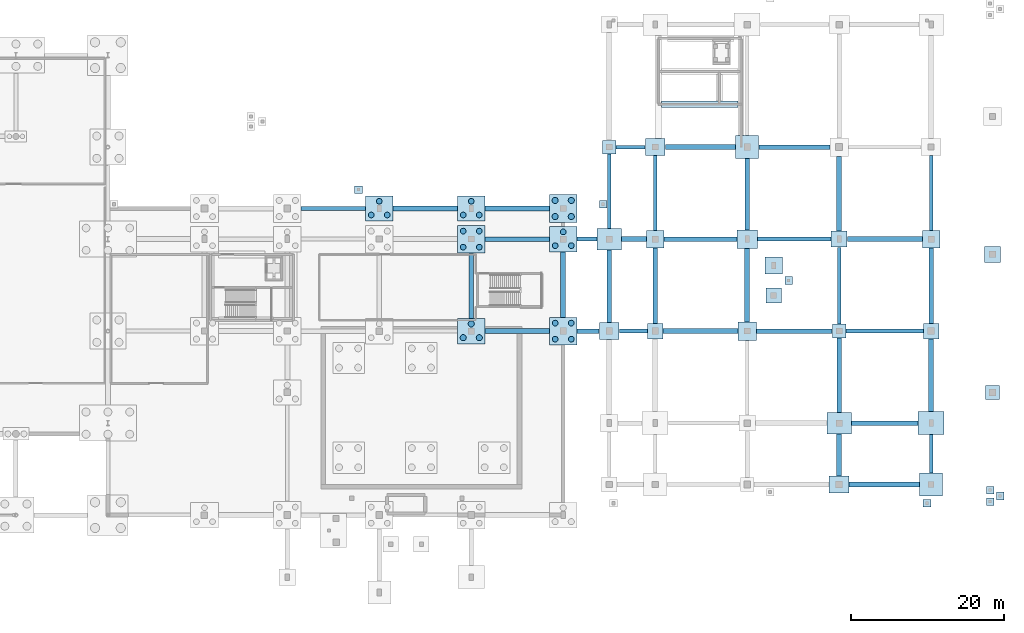
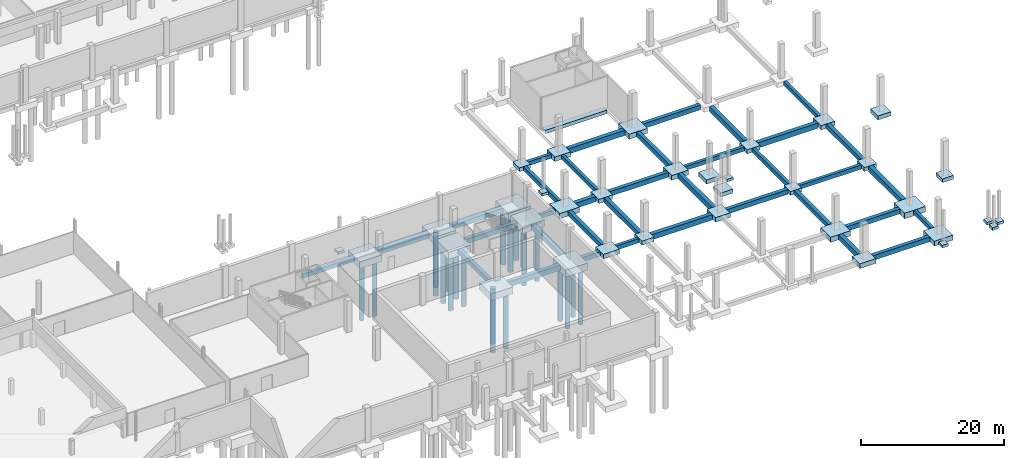
# One storey, part 6 of 42: 72 footings, 24 piles.
"""IFC4 building model written with IfcOpenShell, lengths in metres."""

import ifcopenshell
import ifcopenshell.guid

model = None  # the IFC model being written
_history = None  # IfcOwnerHistory: only IFC2X3 demands one
_inside = {}  # id of a spatial element -> (the spatial element, [elements in it])
_under = {}  # id of a project, library or spatial element -> (it, [spatial elements below it])
_declared = {}  # id of a project -> (the project, [libraries it declares])
_typed = {}  # id of a type object -> (the type object, [elements of that type])
_made_of = {}  # id of a material, layer set ... -> (it, [elements and type objects made of it])


def new_model(schema):
    """Start an empty IFC model of exactly this schema.

    Asked for "IFC4X3", IfcOpenShell would pick the latest addendum, in which some entities
    have other attributes; the version numbers below select the first issue.
    IFC2X3 requires an IfcOwnerHistory on every rooted entity: one is made here for all.
    """
    global model, _history
    if schema == "IFC4X3":
        model = ifcopenshell.file(schema_version=(4, 3, 0, 0))
    else:
        model = ifcopenshell.file(schema=schema)
    _inside.clear()
    _under.clear()
    _declared.clear()
    _typed.clear()
    _made_of.clear()
    _history = None
    if model.schema == "IFC2X3":
        org = make("IfcOrganization", Name="unknown")
        user = make(
            "IfcPersonAndOrganization",
            ThePerson=make("IfcPerson", FamilyName="unknown"),
            TheOrganization=org,
        )
        app = make(
            "IfcApplication",
            ApplicationDeveloper=org,
            Version="unknown",
            ApplicationFullName="unknown",
            ApplicationIdentifier="unknown",
        )
        _history = make(
            "IfcOwnerHistory",
            OwningUser=user,
            OwningApplication=app,
            ChangeAction="ADDED",
            CreationDate=0,
        )
    return model


def make(cls, **values):
    """One entity of the class cls with the attributes given. An attribute that is None is left unset."""
    return model.create_entity(
        cls, **{name: value for name, value in values.items() if value is not None}
    )


def rooted(cls, **values):
    """An entity with a GlobalId (a new one), such as an element, a storey or a relation."""
    return make(cls, GlobalId=ifcopenshell.guid.new(), OwnerHistory=_history, **values)


def si_unit(unit_type, name, prefix=None):
    """IfcSIUnit, for example si_unit("LENGTHUNIT", "METRE", prefix="MILLI")."""
    return make("IfcSIUnit", UnitType=unit_type, Prefix=prefix, Name=name)


def assignment(units):
    """IfcUnitAssignment: the units of a project."""
    return None if units is None else make("IfcUnitAssignment", Units=units)


def point(xyz):
    """IfcCartesianPoint."""
    return None if xyz is None else make("IfcCartesianPoint", Coordinates=xyz)


def direction(xyz):
    """IfcDirection."""
    return None if xyz is None else make("IfcDirection", DirectionRatios=xyz)


def frame(location, z_axis=None, x_axis=None):
    """IfcAxis2Placement3D, a coordinate frame: its origin and axes. An axis left out is left unset."""
    return make(
        "IfcAxis2Placement3D",
        Location=point(location),
        Axis=direction(z_axis),
        RefDirection=direction(x_axis),
    )


def frame_2d(location, x_axis=None):
    """IfcAxis2Placement2D, a coordinate frame in the plane: its origin and x axis."""
    return make(
        "IfcAxis2Placement2D", Location=point(location), RefDirection=direction(x_axis)
    )


def origin():
    """The frame at (0, 0, 0) with its axes left unset."""
    return frame((0.0, 0.0, 0.0))


def origin_2d():
    """The frame at (0, 0) in the plane with its x axis left unset."""
    return frame_2d((0.0, 0.0))


def place(relative_to, where):
    """IfcLocalPlacement: puts the frame where relative to a parent placement (None: the world)."""
    return make(
        "IfcLocalPlacement", PlacementRelTo=relative_to, RelativePlacement=where
    )


def context(
    kind, dimensions, precision=None, world=None, true_north=None, identifier=None
):
    """IfcGeometricRepresentationContext, for example the 3D "Model" context."""
    return make(
        "IfcGeometricRepresentationContext",
        ContextIdentifier=identifier,
        ContextType=kind,
        CoordinateSpaceDimension=dimensions,
        Precision=precision,
        WorldCoordinateSystem=world,
        TrueNorth=true_north,
    )


def subcontext(parent, identifier, kind, view, scale=None):
    """IfcGeometricRepresentationSubContext, for example "Body" below "Model"."""
    return make(
        "IfcGeometricRepresentationSubContext",
        ContextIdentifier=identifier,
        ContextType=kind,
        ParentContext=parent,
        TargetScale=scale,
        TargetView=view,
    )


def project(units=None, contexts=None):
    """IfcProject with its units and contexts."""
    return rooted(
        "IfcProject",
        Name="project",
        RepresentationContexts=contexts,
        UnitsInContext=assignment(units),
    )


def spatial(cls, under=None, at=None, **own):
    """A site, building, storey or space (cls), placed at a placement, below another one or the project."""
    s = rooted(cls, ObjectPlacement=at, **own)
    if under is not None:
        _under.setdefault(under.id(), (under, []))[1].append(s)
    return s


def profile(cls, at=None, kind="AREA", **sizes):
    """A parametric profile (cls). Its sizes go by their IFC names, for example OverallWidth=200.0."""
    return make(cls, ProfileType=kind, Position=at, **sizes)


def rectangle(**sizes):
    """IfcRectangleProfileDef."""
    return profile("IfcRectangleProfileDef", **sizes)


def circle(**sizes):
    """IfcCircleProfileDef."""
    return profile("IfcCircleProfileDef", **sizes)


def extrude(swept, where, along, depth):
    """IfcExtrudedAreaSolid: the profile swept, set in the frame where, extruded along a direction by depth."""
    return make(
        "IfcExtrudedAreaSolid",
        SweptArea=swept,
        Position=where,
        ExtrudedDirection=direction(along),
        Depth=depth,
    )


def shape(context_of_items, identifier, shape_type, items):
    """IfcShapeRepresentation: the items that make up one representation, for example the "Body"."""
    return make(
        "IfcShapeRepresentation",
        ContextOfItems=context_of_items,
        RepresentationIdentifier=identifier,
        RepresentationType=shape_type,
        Items=items,
    )


def material(Name=None, Category=None):
    """IfcMaterial."""
    return make("IfcMaterial", Name=Name, Category=Category)


def material_profile(
    of_material, cross_section, Name=None, Category=None, Priority=None
):
    """IfcMaterialProfile: a cross section and its material."""
    return make(
        "IfcMaterialProfile",
        Name=Name,
        Material=of_material,
        Profile=cross_section,
        Priority=Priority,
        Category=Category,
    )


def profile_set(profiles, Name=None, composite=None):
    """IfcMaterialProfileSet."""
    return make(
        "IfcMaterialProfileSet",
        Name=Name,
        MaterialProfiles=profiles,
        CompositeProfile=composite,
    )


def made_of(thing, what):
    """Note that an element or type object is made of a material, layer set ...; save() writes the relation."""
    if what is not None:
        _made_of.setdefault(what.id(), (what, []))[1].append(thing)
    return thing


def type_object(cls, material=None, **own):
    """A type object (cls), such as IfcWallType, which elements share."""
    return made_of(rooted(cls, **own), material)


def element(
    cls,
    number,
    at=None,
    inside=None,
    cuts=None,
    type_object=None,
    material=None,
    context=None,
    identifier="Body",
    shape_type=None,
    held_by="IfcProductDefinitionShape",
    body=None,
    shapes=None,
    **own,
):
    """One element of the class cls, such as IfcWall. Its Tag is "e" and its number.

    at: its placement. inside: the storey or other place that contains it. cuts: it is an
    opening in that element (IfcRelVoidsElement). A single representation is given by context,
    identifier, shape_type and body (its items); several are given by shapes. held_by: the class
    of the entity that holds the representations. save() writes the other relations.
    """
    e = rooted(cls, Tag="e%d" % number, ObjectPlacement=at, **own)
    if body is not None:
        shapes = [shape(context, identifier, shape_type, body)]
    if shapes is not None:
        e.Representation = make(held_by, Representations=shapes)
    if inside is not None:
        _inside.setdefault(inside.id(), (inside, []))[1].append(e)
    if cuts is not None:
        rooted(
            "IfcRelVoidsElement", RelatingBuildingElement=cuts, RelatedOpeningElement=e
        )
    if type_object is not None:
        _typed.setdefault(type_object.id(), (type_object, []))[1].append(e)
    return made_of(e, material)


def aggregate(whole, parts):
    """IfcRelAggregates: a whole, such as a stair, and the parts it consists of."""
    return rooted("IfcRelAggregates", RelatingObject=whole, RelatedObjects=parts)


def save(model, path):
    """Write the relations noted so far, then the file.

    IfcRelAggregates (storeys below a building ...), IfcRelContainedInSpatialStructure (elements
    in a storey), IfcRelDefinesByType, IfcRelAssociatesMaterial and IfcRelDeclares: one each for
    every whole, place, type object, material and project.
    """
    for whole, parts in _under.values():
        aggregate(whole, parts)
    for where, things in _inside.values():
        rooted(
            "IfcRelContainedInSpatialStructure",
            RelatedElements=things,
            RelatingStructure=where,
        )
    for kind, things in _typed.values():
        rooted("IfcRelDefinesByType", RelatedObjects=things, RelatingType=kind)
    for what, things in _made_of.values():
        rooted("IfcRelAssociatesMaterial", RelatedObjects=things, RelatingMaterial=what)
    for by, libraries in _declared.values():
        rooted("IfcRelDeclares", RelatingContext=by, RelatedDefinitions=libraries)
    model.write(path)


model = new_model("IFC4")

# Units and contexts
model_context = context("Model", 3, precision=1e-05, world=origin(), true_north=direction((0.0, 1.0)))
body_context = subcontext(model_context, "Body", "Model", "MODEL_VIEW")
ifc_project = project(units=[si_unit("LENGTHUNIT", "METRE"), si_unit("AREAUNIT", "SQUARE_METRE"), si_unit("VOLUMEUNIT", "CUBIC_METRE"), si_unit("PLANEANGLEUNIT", "RADIAN"), si_unit("MASSUNIT", "GRAM", prefix="KILO"), si_unit("THERMODYNAMICTEMPERATUREUNIT", "KELVIN"), si_unit("POWERUNIT", "WATT")], contexts=[model_context])

# Site, building, storey
site_placement = place(None, origin())
site = spatial("IfcSite", under=ifc_project, at=site_placement, CompositionType="ELEMENT")
building_placement = place(site_placement, origin())
building = spatial("IfcBuilding", under=site, at=building_placement, Name="Solmara Park Aquatics Centre", CompositionType="ELEMENT")
storey_placement = place(building_placement, frame((0.0, 0.0, -5.39990234375)))
storey = spatial("IfcBuildingStorey", under=building, at=storey_placement, Name="B1", CompositionType="ELEMENT", Elevation=-5.39990234375)

# Footings
ifc_material = material(Name="Watertight Concrete C45/55", Category="concrete")
footing_type_1 = type_object("IfcFootingType", Name="STR-FB-500x700", PredefinedType="FOOTING_BEAM", material=ifc_material)
footing_1_placement = place(storey_placement, frame((165.14990234375, 36.60009765625, -1.25), z_axis=(0.0, 0.0, 1.0), x_axis=(1.0, 0.0, 0.0)))
element("IfcFooting", 1, at=footing_1_placement, inside=storey, type_object=footing_type_1, Name="Ground Tie Beam FB-033", PredefinedType="FOOTING_BEAM", context=body_context, shape_type="SweptSolid", body=[
    extrude(rectangle(XDim=3.679931640625, YDim=0.5, at=origin_2d()), origin(), (0.0, 0.0, 1.0), 0.699951171875),
])
footing_2_placement = place(storey_placement, frame((197.949951171875, 36.60009765625, -1.25), z_axis=(0.0, 0.0, 1.0), x_axis=(1.0, 0.0, 0.0)))
element("IfcFooting", 2, at=footing_2_placement, inside=storey, type_object=footing_type_1, Name="Ground Tie Beam FB-036", PredefinedType="FOOTING_BEAM", context=body_context, shape_type="SweptSolid", body=[
    extrude(rectangle(XDim=10.080078125, YDim=0.5, at=origin_2d()), origin(), (0.0, 0.0, 1.0), 0.699951171875),
])
footing_3_placement = place(storey_placement, frame((159.10009765625, 48.60009765625, -1.25), z_axis=(0.0, 0.0, 1.0), x_axis=(1.0, 0.0, 0.0)))
element("IfcFooting", 3, at=footing_3_placement, inside=storey, type_object=footing_type_1, Name="Ground Tie Beam FB-042", PredefinedType="FOOTING_BEAM", context=body_context, shape_type="SweptSolid", body=[
    extrude(rectangle(XDim=2.580078125, YDim=0.5, at=origin_2d()), origin(), (0.0, 0.0, 1.0), 0.699951171875),
])
footing_4_placement = place(storey_placement, frame((186.14990234375, 48.60009765625, -1.25), z_axis=(0.0, 0.0, 1.0), x_axis=(1.0, 0.0, 0.0)))
element("IfcFooting", 4, at=footing_4_placement, inside=storey, type_object=footing_type_1, Name="Ground Tie Beam FB-045", PredefinedType="FOOTING_BEAM", context=body_context, shape_type="SweptSolid", body=[
    extrude(rectangle(XDim=9.580078125, YDim=0.5, at=origin_2d()), origin(), (0.0, 0.0, 1.0), 0.699951171875),
])
footing_5_placement = place(storey_placement, frame((126.0, 52.60009765625, -1.25), z_axis=(0.0, 0.0, 1.0), x_axis=(1.0, 0.0, 0.0)))
element("IfcFooting", 5, at=footing_5_placement, inside=storey, type_object=footing_type_1, Name="Ground Tie Beam FB-048", PredefinedType="FOOTING_BEAM", context=body_context, shape_type="SweptSolid", body=[
    extrude(rectangle(XDim=8.3798828125, YDim=0.5, at=origin_2d()), origin(), (0.0, 0.0, 1.0), 0.699951171875),
])
footing_6_placement = place(storey_placement, frame((164.800048828125, 60.60009765625, -1.25), z_axis=(0.0, 0.0, 1.0), x_axis=(1.0, 0.0, 0.0)))
element("IfcFooting", 6, at=footing_6_placement, inside=storey, type_object=footing_type_1, Name="Ground Tie Beam FB-051", PredefinedType="FOOTING_BEAM", context=body_context, shape_type="SweptSolid", body=[
    extrude(rectangle(XDim=3.780029296875, YDim=0.5, at=origin_2d()), origin(), (0.0, 0.0, 1.0), 0.699951171875),
])
footing_7_placement = place(storey_placement, frame((162.0, 54.85009765625, -1.25), z_axis=(0.0, 0.0, 1.0), x_axis=(1.0, 0.0, 0.0)))
element("IfcFooting", 7, at=footing_7_placement, inside=storey, type_object=footing_type_1, Name="Ground Tie Beam FB-179", PredefinedType="FOOTING_BEAM", context=body_context, shape_type="SweptSolid", body=[
    extrude(rectangle(XDim=0.5, YDim=9.679931640625, at=origin_2d()), origin(), (0.0, 0.0, 1.0), 0.699951171875),
])
footing_8_placement = place(storey_placement, frame((168.0, 54.612548828125, -1.25), z_axis=(0.0, 0.0, 1.0), x_axis=(1.0, 0.0, 0.0)))
element("IfcFooting", 8, at=footing_8_placement, inside=storey, type_object=footing_type_1, Name="Ground Tie Beam FB-185", PredefinedType="FOOTING_BEAM", context=body_context, shape_type="SweptSolid", body=[
    extrude(rectangle(XDim=0.5, YDim=9.7548828125, at=origin_2d()), origin(), (0.0, 0.0, 1.0), 0.699951171875),
])
footing_9_placement = place(storey_placement, frame((192.0, 42.52490234375, -1.25), z_axis=(0.0, 0.0, 1.0), x_axis=(1.0, 0.0, 0.0)))
element("IfcFooting", 9, at=footing_9_placement, inside=storey, type_object=footing_type_1, Name="Ground Tie Beam FB-193", PredefinedType="FOOTING_BEAM", context=body_context, shape_type="SweptSolid", body=[
    extrude(rectangle(XDim=0.5, YDim=10.030029296875, at=origin_2d()), origin(), (0.0, 0.0, 1.0), 0.699951171875),
])
footing_10_placement = place(storey_placement, frame((204.0, 20.60009765625, -1.25), z_axis=(0.0, 0.0, 1.0), x_axis=(1.0, 0.0, 0.0)))
element("IfcFooting", 10, at=footing_10_placement, inside=storey, type_object=footing_type_1, Name="Ground Tie Beam FB-196", PredefinedType="FOOTING_BEAM", context=body_context, shape_type="SweptSolid", body=[
    extrude(rectangle(XDim=0.5, YDim=4.97998046875, at=origin_2d()), origin(), (0.0, 0.0, 1.0), 0.699951171875),
])
footing_11_placement = place(storey_placement, frame((204.0, 54.612548828125, -1.25), z_axis=(0.0, 0.0, 1.0), x_axis=(1.0, 0.0, 0.0)))
element("IfcFooting", 11, at=footing_11_placement, inside=storey, type_object=footing_type_1, Name="Ground Tie Beam FB-199", PredefinedType="FOOTING_BEAM", context=body_context, shape_type="SweptSolid", body=[
    extrude(rectangle(XDim=0.5, YDim=9.7548828125, at=origin_2d()), origin(), (0.0, 0.0, 1.0), 0.699951171875),
])
footing_type_2 = type_object("IfcFootingType", Name="STR-FB-600x800", PredefinedType="FOOTING_BEAM", material=ifc_material)
footing_12_placement = place(storey_placement, frame((197.89990234375, 16.60009765625, -1.35009765625), z_axis=(0.0, 0.0, 1.0), x_axis=(1.0, 0.0, 0.0)))
element("IfcFooting", 12, at=footing_12_placement, inside=storey, type_object=footing_type_2, Name="Ground Tie Beam FB-017", PredefinedType="FOOTING_BEAM", context=body_context, shape_type="SweptSolid", body=[
    extrude(rectangle(XDim=9.179931640625, YDim=0.60009765625, at=origin_2d()), origin(), (0.0, 0.0, 1.0), 0.800048828125),
])
footing_13_placement = place(storey_placement, frame((197.949951171875, 24.60009765625, -1.35009765625), z_axis=(0.0, 0.0, 1.0), x_axis=(1.0, 0.0, 0.0)))
element("IfcFooting", 13, at=footing_13_placement, inside=storey, type_object=footing_type_2, Name="Ground Tie Beam FB-026", PredefinedType="FOOTING_BEAM", context=body_context, shape_type="SweptSolid", body=[
    extrude(rectangle(XDim=8.679931640625, YDim=0.60009765625, at=origin_2d()), origin(), (0.0, 0.0, 1.0), 0.800048828125),
])
footing_14_placement = place(storey_placement, frame((159.25, 36.60009765625, -1.35009765625), z_axis=(0.0, 0.0, 1.0), x_axis=(1.0, 0.0, 0.0)))
element("IfcFooting", 14, at=footing_14_placement, inside=storey, type_object=footing_type_2, Name="Ground Tie Beam FB-032", PredefinedType="FOOTING_BEAM", context=body_context, shape_type="SweptSolid", body=[
    extrude(rectangle(XDim=2.8798828125, YDim=0.60009765625, at=origin_2d()), origin(), (0.0, 0.0, 1.0), 0.800048828125),
])
footing_15_placement = place(storey_placement, frame((186.14990234375, 36.60009765625, -1.35009765625), z_axis=(0.0, 0.0, 1.0), x_axis=(1.0, 0.0, 0.0)))
element("IfcFooting", 15, at=footing_15_placement, inside=storey, type_object=footing_type_2, Name="Ground Tie Beam FB-035", PredefinedType="FOOTING_BEAM", context=body_context, shape_type="SweptSolid", body=[
    extrude(rectangle(XDim=9.8798828125, YDim=0.60009765625, at=origin_2d()), origin(), (0.0, 0.0, 1.0), 0.800048828125),
])
footing_16_placement = place(storey_placement, frame((150.0, 48.60009765625, -1.35009765625), z_axis=(0.0, 0.0, 1.0), x_axis=(1.0, 0.0, 0.0)))
element("IfcFooting", 16, at=footing_16_placement, inside=storey, type_object=footing_type_2, Name="Ground Tie Beam FB-041", PredefinedType="FOOTING_BEAM", context=body_context, shape_type="SweptSolid", body=[
    extrude(rectangle(XDim=8.3798828125, YDim=0.60009765625, at=origin_2d()), origin(), (0.0, 0.0, 1.0), 0.800048828125),
])
footing_17_placement = place(storey_placement, frame((173.887451171875, 48.60009765625, -1.35009765625), z_axis=(0.0, 0.0, 1.0), x_axis=(1.0, 0.0, 0.0)))
element("IfcFooting", 17, at=footing_17_placement, inside=storey, type_object=footing_type_2, Name="Ground Tie Beam FB-044", PredefinedType="FOOTING_BEAM", context=body_context, shape_type="SweptSolid", body=[
    extrude(rectangle(XDim=9.5048828125, YDim=0.60009765625, at=origin_2d()), origin(), (0.0, 0.0, 1.0), 0.800048828125),
])
footing_18_placement = place(storey_placement, frame((150.0, 52.60009765625, -1.35009765625), z_axis=(0.0, 0.0, 1.0), x_axis=(1.0, 0.0, 0.0)))
element("IfcFooting", 18, at=footing_18_placement, inside=storey, type_object=footing_type_2, Name="Ground Tie Beam FB-050", PredefinedType="FOOTING_BEAM", context=body_context, shape_type="SweptSolid", body=[
    extrude(rectangle(XDim=8.3798828125, YDim=0.60009765625, at=origin_2d()), origin(), (0.0, 0.0, 1.0), 0.800048828125),
])
footing_19_placement = place(storey_placement, frame((186.14990234375, 60.60009765625, -1.35009765625), z_axis=(0.0, 0.0, 1.0), x_axis=(1.0, 0.0, 0.0)))
element("IfcFooting", 19, at=footing_19_placement, inside=storey, type_object=footing_type_2, Name="Ground Tie Beam FB-053", PredefinedType="FOOTING_BEAM", context=body_context, shape_type="SweptSolid", body=[
    extrude(rectangle(XDim=9.280029296875, YDim=0.60009765625, at=origin_2d()), origin(), (0.0, 0.0, 1.0), 0.800048828125),
])
footing_20_placement = place(storey_placement, frame((144.0, 42.52490234375, -1.35009765625), z_axis=(0.0, 0.0, 1.0), x_axis=(1.0, 0.0, 0.0)))
element("IfcFooting", 20, at=footing_20_placement, inside=storey, type_object=footing_type_2, Name="Ground Tie Beam FB-172", PredefinedType="FOOTING_BEAM", context=body_context, shape_type="SweptSolid", body=[
    extrude(rectangle(XDim=0.60009765625, YDim=8.530029296875, at=origin_2d()), origin(), (0.0, 0.0, 1.0), 0.800048828125),
])
footing_21_placement = place(storey_placement, frame((162.0, 42.449951171875, -1.35009765625), z_axis=(0.0, 0.0, 1.0), x_axis=(1.0, 0.0, 0.0)))
element("IfcFooting", 21, at=footing_21_placement, inside=storey, type_object=footing_type_2, Name="Ground Tie Beam FB-178", PredefinedType="FOOTING_BEAM", context=body_context, shape_type="SweptSolid", body=[
    extrude(rectangle(XDim=0.60009765625, YDim=9.47998046875, at=origin_2d()), origin(), (0.0, 0.0, 1.0), 0.800048828125),
])
footing_22_placement = place(storey_placement, frame((168.0, 42.53759765625, -1.35009765625), z_axis=(0.0, 0.0, 1.0), x_axis=(1.0, 0.0, 0.0)))
element("IfcFooting", 22, at=footing_22_placement, inside=storey, type_object=footing_type_2, Name="Ground Tie Beam FB-184", PredefinedType="FOOTING_BEAM", context=body_context, shape_type="SweptSolid", body=[
    extrude(rectangle(XDim=0.60009765625, YDim=9.85498046875, at=origin_2d()), origin(), (0.0, 0.0, 1.0), 0.800048828125),
])
footing_23_placement = place(storey_placement, frame((180.0, 54.449951171875, -1.35009765625), z_axis=(0.0, 0.0, 1.0), x_axis=(1.0, 0.0, 0.0)))
element("IfcFooting", 23, at=footing_23_placement, inside=storey, type_object=footing_type_2, Name="Ground Tie Beam FB-189", PredefinedType="FOOTING_BEAM", context=body_context, shape_type="SweptSolid", body=[
    extrude(rectangle(XDim=0.60009765625, YDim=9.280029296875, at=origin_2d()), origin(), (0.0, 0.0, 1.0), 0.800048828125),
])
footing_24_placement = place(storey_placement, frame((192.0, 30.85009765625, -1.35009765625), z_axis=(0.0, 0.0, 1.0), x_axis=(1.0, 0.0, 0.0)))
element("IfcFooting", 24, at=footing_24_placement, inside=storey, type_object=footing_type_2, Name="Ground Tie Beam FB-192", PredefinedType="FOOTING_BEAM", context=body_context, shape_type="SweptSolid", body=[
    extrude(rectangle(XDim=0.60009765625, YDim=9.679931640625, at=origin_2d()), origin(), (0.0, 0.0, 1.0), 0.800048828125),
])
footing_25_placement = place(storey_placement, frame((204.0, 42.53759765625, -1.35009765625), z_axis=(0.0, 0.0, 1.0), x_axis=(1.0, 0.0, 0.0)))
element("IfcFooting", 25, at=footing_25_placement, inside=storey, type_object=footing_type_2, Name="Ground Tie Beam FB-198", PredefinedType="FOOTING_BEAM", context=body_context, shape_type="SweptSolid", body=[
    extrude(rectangle(XDim=0.60009765625, YDim=9.85498046875, at=origin_2d()), origin(), (0.0, 0.0, 1.0), 0.800048828125),
])
footing_type_3 = type_object("IfcFootingType", Name="STR-FB-650x900", PredefinedType="FOOTING_BEAM", material=ifc_material)
footing_26_placement = place(storey_placement, frame((150.0, 36.60009765625, -1.449951171875), z_axis=(0.0, 0.0, 1.0), x_axis=(1.0, 0.0, 0.0)))
element("IfcFooting", 26, at=footing_26_placement, inside=storey, type_object=footing_type_3, Name="Ground Tie Beam FB-031", PredefinedType="FOOTING_BEAM", context=body_context, shape_type="SweptSolid", body=[
    extrude(rectangle(XDim=8.3798828125, YDim=0.64990234375, at=origin_2d()), origin(), (0.0, 0.0, 1.0), 0.89990234375),
])
footing_27_placement = place(storey_placement, frame((173.89990234375, 36.60009765625, -1.449951171875), z_axis=(0.0, 0.0, 1.0), x_axis=(1.0, 0.0, 0.0)))
element("IfcFooting", 27, at=footing_27_placement, inside=storey, type_object=footing_type_3, Name="Ground Tie Beam FB-034", PredefinedType="FOOTING_BEAM", context=body_context, shape_type="SweptSolid", body=[
    extrude(rectangle(XDim=9.780029296875, YDim=0.64990234375, at=origin_2d()), origin(), (0.0, 0.0, 1.0), 0.89990234375),
])
footing_28_placement = place(storey_placement, frame((165.237548828125, 48.60009765625, -1.449951171875), z_axis=(0.0, 0.0, 1.0), x_axis=(1.0, 0.0, 0.0)))
element("IfcFooting", 28, at=footing_28_placement, inside=storey, type_object=footing_type_3, Name="Ground Tie Beam FB-043", PredefinedType="FOOTING_BEAM", context=body_context, shape_type="SweptSolid", body=[
    extrude(rectangle(XDim=3.2548828125, YDim=0.64990234375, at=origin_2d()), origin(), (0.0, 0.0, 1.0), 0.89990234375),
])
footing_29_placement = place(storey_placement, frame((197.96240234375, 48.60009765625, -1.449951171875), z_axis=(0.0, 0.0, 1.0), x_axis=(1.0, 0.0, 0.0)))
element("IfcFooting", 29, at=footing_29_placement, inside=storey, type_object=footing_type_3, Name="Ground Tie Beam FB-046", PredefinedType="FOOTING_BEAM", context=body_context, shape_type="SweptSolid", body=[
    extrude(rectangle(XDim=9.804931640625, YDim=0.64990234375, at=origin_2d()), origin(), (0.0, 0.0, 1.0), 0.89990234375),
])
footing_30_placement = place(storey_placement, frame((138.0, 52.60009765625, -1.449951171875), z_axis=(0.0, 0.0, 1.0), x_axis=(1.0, 0.0, 0.0)))
element("IfcFooting", 30, at=footing_30_placement, inside=storey, type_object=footing_type_3, Name="Ground Tie Beam FB-049", PredefinedType="FOOTING_BEAM", context=body_context, shape_type="SweptSolid", body=[
    extrude(rectangle(XDim=8.3798828125, YDim=0.64990234375, at=origin_2d()), origin(), (0.0, 0.0, 1.0), 0.89990234375),
])
footing_31_placement = place(storey_placement, frame((173.89990234375, 60.60009765625, -1.449951171875), z_axis=(0.0, 0.0, 1.0), x_axis=(1.0, 0.0, 0.0)))
element("IfcFooting", 31, at=footing_31_placement, inside=storey, type_object=footing_type_3, Name="Ground Tie Beam FB-052", PredefinedType="FOOTING_BEAM", context=body_context, shape_type="SweptSolid", body=[
    extrude(rectangle(XDim=9.179931640625, YDim=0.64990234375, at=origin_2d()), origin(), (0.0, 0.0, 1.0), 0.89990234375),
])
footing_32_placement = place(storey_placement, frame((156.0, 42.675048828125, -1.449951171875), z_axis=(0.0, 0.0, 1.0), x_axis=(1.0, 0.0, 0.0)))
element("IfcFooting", 32, at=footing_32_placement, inside=storey, type_object=footing_type_3, Name="Ground Tie Beam FB-174", PredefinedType="FOOTING_BEAM", context=body_context, shape_type="SweptSolid", body=[
    extrude(rectangle(XDim=0.64990234375, YDim=8.530029296875, at=origin_2d()), origin(), (0.0, 0.0, 1.0), 0.89990234375),
])
footing_33_placement = place(storey_placement, frame((180.0, 42.60009765625, -1.449951171875), z_axis=(0.0, 0.0, 1.0), x_axis=(1.0, 0.0, 0.0)))
element("IfcFooting", 33, at=footing_33_placement, inside=storey, type_object=footing_type_3, Name="Ground Tie Beam FB-188", PredefinedType="FOOTING_BEAM", context=body_context, shape_type="SweptSolid", body=[
    extrude(rectangle(XDim=0.64990234375, YDim=9.580078125, at=origin_2d()), origin(), (0.0, 0.0, 1.0), 0.89990234375),
])
footing_34_placement = place(storey_placement, frame((192.0, 20.449951171875, -1.449951171875), z_axis=(0.0, 0.0, 1.0), x_axis=(1.0, 0.0, 0.0)))
element("IfcFooting", 34, at=footing_34_placement, inside=storey, type_object=footing_type_3, Name="Ground Tie Beam FB-191", PredefinedType="FOOTING_BEAM", context=body_context, shape_type="SweptSolid", body=[
    extrude(rectangle(XDim=0.64990234375, YDim=5.47998046875, at=origin_2d()), origin(), (0.0, 0.0, 1.0), 0.89990234375),
])
footing_35_placement = place(storey_placement, frame((192.0, 54.52490234375, -1.449951171875), z_axis=(0.0, 0.0, 1.0), x_axis=(1.0, 0.0, 0.0)))
element("IfcFooting", 35, at=footing_35_placement, inside=storey, type_object=footing_type_3, Name="Ground Tie Beam FB-194", PredefinedType="FOOTING_BEAM", context=body_context, shape_type="SweptSolid", body=[
    extrude(rectangle(XDim=0.64990234375, YDim=9.72998046875, at=origin_2d()), origin(), (0.0, 0.0, 1.0), 0.89990234375),
])
footing_36_placement = place(storey_placement, frame((204.0, 30.85009765625, -1.449951171875), z_axis=(0.0, 0.0, 1.0), x_axis=(1.0, 0.0, 0.0)))
element("IfcFooting", 36, at=footing_36_placement, inside=storey, type_object=footing_type_3, Name="Ground Tie Beam FB-197", PredefinedType="FOOTING_BEAM", context=body_context, shape_type="SweptSolid", body=[
    extrude(rectangle(XDim=0.64990234375, YDim=9.47998046875, at=origin_2d()), origin(), (0.0, 0.0, 1.0), 0.89990234375),
])
footing_type_4 = type_object("IfcFootingType", Name="STR-PC-3P750", PredefinedType="PILE_CAP", material=ifc_material)
for number, where, z_axis, x_axis, name in (
    (37, (132.0, 52.60009765625, -1.699951171875), (0.0, 0.0, 1.0), (1.0, 0.0, 0.0), "Pile Cap PC-091"),
    (38, (144.0, 36.60009765625, -1.699951171875), (0.0, 0.0, 1.0), (1.0, 0.0, 0.0), "Pile Cap PC-096"),
    (39, (144.0, 52.60009765625, -1.699951171875), (0.0, 0.0, 1.0), (1.0, 0.0, 0.0), "Pile Cap PC-098"),
    (40, (156.0, 48.60009765625, -1.699951171875), (0.0, 0.0, 1.0), (1.0, 0.0, 0.0), "Pile Cap PC-104"),
):
    element("IfcFooting", number, at=place(storey_placement, frame(where, z_axis=z_axis, x_axis=x_axis)), inside=storey, type_object=footing_type_4, Name=name, PredefinedType="PILE_CAP", context=body_context, shape_type="SweptSolid", body=[
        extrude(rectangle(XDim=3.60009765625, YDim=3.300048828125, at=origin_2d()), origin(), (0.0, 0.0, 1.0), 1.14990234375),
    ])
footing_type_5 = type_object("IfcFootingType", Name="STR-PC-4P750", PredefinedType="PILE_CAP", material=ifc_material)
for number, where, z_axis, x_axis, name in (
    (41, (144.0, 48.60009765625, -1.75), (0.0, 0.0, 1.0), (1.0, 0.0, 0.0), "Pile Cap PC-097"),
    (42, (156.0, 36.60009765625, -1.75), (0.0, 0.0, 1.0), (1.0, 0.0, 0.0), "Pile Cap PC-103"),
    (43, (156.0, 52.60009765625, -1.75), (0.0, 0.0, 1.0), (1.0, 0.0, 0.0), "Pile Cap PC-105"),
):
    element("IfcFooting", number, at=place(storey_placement, frame(where, z_axis=z_axis, x_axis=x_axis)), inside=storey, type_object=footing_type_5, Name=name, PredefinedType="PILE_CAP", context=body_context, shape_type="SweptSolid", body=[
        extrude(rectangle(XDim=3.60009765625, YDim=3.60009765625, at=origin_2d()), origin(), (0.0, 0.0, 1.0), 1.199951171875),
    ])
footing_type_6 = type_object("IfcFootingType", Name="STR-PF-1000", PredefinedType="PAD_FOOTING", material=ifc_material)
for number, where, z_axis, x_axis, name in (
    (44, (161.199951171875, 53.14990234375, -1.0), (0.0, 0.0, 1.0), (1.0, 0.0, 0.0), "Apron Foundation Pier SLB-L00-APR-V2N-2 Footing"),
    (45, (129.300048828125, 55.050048828125, -1.0), (0.0, 0.0, 1.0), (1.0, 0.0, 0.0), "Apron Foundation Pier SLB-L00-APR-V2N-3 Footing"),
    (46, (203.449951171875, 14.14990234375, -1.0), (0.0, 0.0, 1.0), (1.0, 0.0, 0.0), "Apron Foundation Pier SLB-L00-APR-V3S-2 Footing"),
    (47, (185.409912109375, 43.199951171875, -1.0), (0.0, 0.0, 1.0), (1.0, 0.0, 0.0), "Monumental Foyer Stair ST-06 Half-Landing Pier B1 Footing"),
    (48, (211.699951171875, 14.35009765625, -1.0), (0.0, 0.0, 1.0), (1.0, 0.0, 0.0), "Main Park Entrance South Accessible Ramp Foundation Pier 1 Footing"),
    (49, (211.699951171875, 15.85009765625, -1.0), (0.0, 0.0, 1.0), (1.0, 0.0, 0.0), "Main Park Entrance South Accessible Ramp Foundation Pier 2 Footing"),
    (50, (213.0, 15.10009765625, -1.0), (0.0, 0.0, 1.0), (1.0, 0.0, 0.0), "Main Park Entrance South Accessible Ramp Foundation Pier 3 Footing"),
):
    element("IfcFooting", number, at=place(storey_placement, frame(where, z_axis=z_axis, x_axis=x_axis)), inside=storey, type_object=footing_type_6, Name=name, PredefinedType="PAD_FOOTING", context=body_context, shape_type="SweptSolid", body=[
        extrude(rectangle(XDim=1.0, YDim=1.0, at=origin_2d()), origin(), (0.0, 0.0, 1.0), 0.449951171875),
    ])
footing_type_7 = type_object("IfcFootingType", Name="STR-PF-1800", PredefinedType="PAD_FOOTING", material=ifc_material)
for number, where, z_axis, x_axis, name in (
    (51, (162.0, 60.60009765625, -1.199951171875), (0.0, 0.0, 1.0), (1.0, 0.0, 0.0), "Pad Footing PF-011"),
    (52, (192.0, 36.60009765625, -1.199951171875), (0.0, 0.0, 1.0), (1.0, 0.0, 0.0), "Pad Footing PF-031"),
    (53, (212.0, 28.60009765625, -1.199951171875), (0.0, 0.0, 1.0), (1.0, 0.0, 0.0), "Pad Footing PF-041"),
):
    element("IfcFooting", number, at=place(storey_placement, frame(where, z_axis=z_axis, x_axis=x_axis)), inside=storey, type_object=footing_type_7, Name=name, PredefinedType="PAD_FOOTING", context=body_context, shape_type="SweptSolid", body=[
        extrude(rectangle(XDim=1.800048828125, YDim=1.800048828125, at=origin_2d()), origin(), (0.0, 0.0, 1.0), 0.64990234375),
    ])
footing_type_8 = type_object("IfcFootingType", Name="STR-PF-2000", PredefinedType="PAD_FOOTING", material=ifc_material)
for number, where, z_axis, x_axis, name in (
    (54, (168.0, 36.60009765625, -1.22998046875), (0.0, 0.0, 1.0), (1.0, 0.0, 0.0), "Pad Footing PF-017"),
    (55, (183.449951171875, 41.25, -1.22998046875), (0.0, 0.0, 1.0), (1.0, 0.0, 0.0), "Pad Footing PF-027"),
    (56, (204.0, 36.60009765625, -1.22998046875), (0.0, 0.0, 1.0), (1.0, 0.0, 0.0), "Pad Footing PF-037"),
):
    element("IfcFooting", number, at=place(storey_placement, frame(where, z_axis=z_axis, x_axis=x_axis)), inside=storey, type_object=footing_type_8, Name=name, PredefinedType="PAD_FOOTING", context=body_context, shape_type="SweptSolid", body=[
        extrude(rectangle(XDim=2.0, YDim=2.0, at=origin_2d()), origin(), (0.0, 0.0, 1.0), 0.679931640625),
    ])
footing_type_9 = type_object("IfcFootingType", Name="STR-PF-2100", PredefinedType="PAD_FOOTING", material=ifc_material)
for number, where, z_axis, x_axis, name in (
    (57, (192.0, 48.60009765625, -1.25), (0.0, 0.0, 1.0), (1.0, 0.0, 0.0), "Pad Footing PF-032"),
    (58, (212.0, 46.60009765625, -1.25), (0.0, 0.0, 1.0), (1.0, 0.0, 0.0), "Pad Footing PF-042"),
):
    element("IfcFooting", number, at=place(storey_placement, frame(where, z_axis=z_axis, x_axis=x_axis)), inside=storey, type_object=footing_type_9, Name=name, PredefinedType="PAD_FOOTING", context=body_context, shape_type="SweptSolid", body=[
        extrude(rectangle(XDim=2.10009765625, YDim=2.10009765625, at=origin_2d()), origin(), (0.0, 0.0, 1.0), 0.699951171875),
    ])
footing_type_10 = type_object("IfcFootingType", Name="STR-PF-2250", PredefinedType="PAD_FOOTING", material=ifc_material)
for number, where, z_axis, x_axis, name in (
    (59, (168.0, 48.60009765625, -1.27001953125), (0.0, 0.0, 1.0), (1.0, 0.0, 0.0), "Pad Footing PF-018"),
    (60, (183.449951171875, 45.14990234375, -1.27001953125), (0.0, 0.0, 1.0), (1.0, 0.0, 0.0), "Pad Footing PF-028"),
    (61, (204.0, 48.60009765625, -1.27001953125), (0.0, 0.0, 1.0), (1.0, 0.0, 0.0), "Pad Footing PF-038"),
):
    element("IfcFooting", number, at=place(storey_placement, frame(where, z_axis=z_axis, x_axis=x_axis)), inside=storey, type_object=footing_type_10, Name=name, PredefinedType="PAD_FOOTING", context=body_context, shape_type="SweptSolid", body=[
        extrude(rectangle(XDim=2.25, YDim=2.25, at=origin_2d()), origin(), (0.0, 0.0, 1.0), 0.719970703125),
    ])
footing_type_11 = type_object("IfcFootingType", Name="STR-PF-2400", PredefinedType="PAD_FOOTING", material=ifc_material)
footing_37_placement = place(storey_placement, frame((180.0, 36.60009765625, -1.300048828125), z_axis=(0.0, 0.0, 1.0), x_axis=(1.0, 0.0, 0.0)))
element("IfcFooting", 62, at=footing_37_placement, inside=storey, type_object=footing_type_11, Name="Pad Footing PF-023", PredefinedType="PAD_FOOTING", context=body_context, shape_type="SweptSolid", body=[
    extrude(rectangle(XDim=2.39990234375, YDim=2.39990234375, at=origin_2d()), origin(), (0.0, 0.0, 1.0), 0.75),
])
footing_type_12 = type_object("IfcFootingType", Name="STR-PF-2600", PredefinedType="PAD_FOOTING", material=ifc_material)
for number, where, z_axis, x_axis, name in (
    (63, (162.0, 36.60009765625, -1.330078125), (0.0, 0.0, 1.0), (1.0, 0.0, 0.0), "Pad Footing PF-009"),
    (64, (168.0, 60.60009765625, -1.330078125), (0.0, 0.0, 1.0), (1.0, 0.0, 0.0), "Pad Footing PF-019"),
    (65, (192.0, 16.60009765625, -1.330078125), (0.0, 0.0, 1.0), (1.0, 0.0, 0.0), "Pad Footing PF-029"),
):
    element("IfcFooting", number, at=place(storey_placement, frame(where, z_axis=z_axis, x_axis=x_axis)), inside=storey, type_object=footing_type_12, Name=name, PredefinedType="PAD_FOOTING", context=body_context, shape_type="SweptSolid", body=[
        extrude(rectangle(XDim=2.60009765625, YDim=2.199951171875, at=origin_2d()), origin(), (0.0, 0.0, 1.0), 0.780029296875),
    ])
footing_type_13 = type_object("IfcFootingType", Name="STR-PF-2700", PredefinedType="PAD_FOOTING", material=ifc_material)
footing_38_placement = place(storey_placement, frame((180.0, 48.60009765625, -1.35009765625), z_axis=(0.0, 0.0, 1.0), x_axis=(1.0, 0.0, 0.0)))
element("IfcFooting", 66, at=footing_38_placement, inside=storey, type_object=footing_type_13, Name="Pad Footing PF-024", PredefinedType="PAD_FOOTING", context=body_context, shape_type="SweptSolid", body=[
    extrude(rectangle(XDim=2.699951171875, YDim=2.39990234375, at=origin_2d()), origin(), (0.0, 0.0, 1.0), 0.800048828125),
])
footing_type_14 = type_object("IfcFootingType", Name="STR-PF-3000", PredefinedType="PAD_FOOTING", material=ifc_material)
for number, where, z_axis, x_axis, name in (
    (67, (180.0, 60.60009765625, -1.400146484375), (0.0, 0.0, 1.0), (1.0, 0.0, 0.0), "Pad Footing PF-025"),
    (68, (204.0, 16.60009765625, -1.400146484375), (0.0, 0.0, 1.0), (1.0, 0.0, 0.0), "Pad Footing PF-035"),
):
    element("IfcFooting", number, at=place(storey_placement, frame(where, z_axis=z_axis, x_axis=x_axis)), inside=storey, type_object=footing_type_14, Name=name, PredefinedType="PAD_FOOTING", context=body_context, shape_type="SweptSolid", body=[
        extrude(rectangle(XDim=3.0, YDim=3.0, at=origin_2d()), origin(), (0.0, 0.0, 1.0), 0.85009765625),
    ])
footing_type_15 = type_object("IfcFootingType", Name="STR-PF-3200", PredefinedType="PAD_FOOTING", material=ifc_material)
for number, where, z_axis, x_axis, name in (
    (69, (162.0, 48.60009765625, -1.449951171875), (0.0, 0.0, 1.0), (1.0, 0.0, 0.0), "Pad Footing PF-010"),
    (70, (192.0, 24.60009765625, -1.449951171875), (0.0, 0.0, 1.0), (1.0, 0.0, 0.0), "Pad Footing PF-030"),
):
    element("IfcFooting", number, at=place(storey_placement, frame(where, z_axis=z_axis, x_axis=x_axis)), inside=storey, type_object=footing_type_15, Name=name, PredefinedType="PAD_FOOTING", context=body_context, shape_type="SweptSolid", body=[
        extrude(rectangle(XDim=3.199951171875, YDim=2.800048828125, at=origin_2d()), origin(), (0.0, 0.0, 1.0), 0.89990234375),
    ])
footing_type_16 = type_object("IfcFootingType", Name="STR-PF-3400", PredefinedType="PAD_FOOTING", material=ifc_material)
footing_39_placement = place(storey_placement, frame((204.0, 24.60009765625, -1.5), z_axis=(0.0, 0.0, 1.0), x_axis=(1.0, 0.0, 0.0)))
element("IfcFooting", 71, at=footing_39_placement, inside=storey, type_object=footing_type_16, Name="Pad Footing PF-036", PredefinedType="PAD_FOOTING", context=body_context, shape_type="SweptSolid", body=[
    extrude(rectangle(XDim=3.39990234375, YDim=3.0, at=origin_2d()), origin(), (0.0, 0.0, 1.0), 0.949951171875),
])

# Piles
ifc_material_profile_1 = material_profile(ifc_material, circle(Radius=0.375, at=origin_2d()), Name="BORED PILE D750")
ifc_profile_set_1 = profile_set([ifc_material_profile_1], Name="Watertight Concrete C45/55")
pile_type_1 = type_object("IfcPileType", Name="STR-PILE-D750", PredefinedType="BORED", material=ifc_profile_set_1)
for number, where, z_axis, x_axis, name in (
    (72, (130.949951171875, 51.75, -1.60009765625), (0.0, 0.0, -1.0), (1.0, 0.0, 0.0), "Bored Pile PL-0312"),
    (73, (133.050048828125, 51.75, -1.60009765625), (0.0, 0.0, -1.0), (1.0, 0.0, 0.0), "Bored Pile PL-0313"),
    (74, (132.0, 53.550048828125, -1.60009765625), (0.0, 0.0, -1.0), (1.0, 0.0, 0.0), "Bored Pile PL-0314"),
):
    element("IfcPile", number, at=place(storey_placement, frame(where, z_axis=z_axis, x_axis=x_axis)), inside=storey, type_object=pile_type_1, Name=name, PredefinedType="BORED", context=body_context, shape_type="SweptSolid", body=[
        extrude(circle(Radius=0.375, at=origin_2d()), origin(), (0.0, 0.0, 1.0), 9.5),
    ])
for number, where, z_axis, x_axis, name in (
    (75, (142.949951171875, 47.550048828125, -1.650146484375), (0.0, 0.0, -1.0), (1.0, 0.0, 0.0), "Bored Pile PL-0328"),
    (76, (145.050048828125, 47.550048828125, -1.650146484375), (0.0, 0.0, -1.0), (1.0, 0.0, 0.0), "Bored Pile PL-0329"),
    (77, (142.949951171875, 49.64990234375, -1.650146484375), (0.0, 0.0, -1.0), (1.0, 0.0, 0.0), "Bored Pile PL-0330"),
    (78, (145.050048828125, 49.64990234375, -1.650146484375), (0.0, 0.0, -1.0), (1.0, 0.0, 0.0), "Bored Pile PL-0331"),
):
    element("IfcPile", number, at=place(storey_placement, frame(where, z_axis=z_axis, x_axis=x_axis)), inside=storey, type_object=pile_type_1, Name=name, PredefinedType="BORED", context=body_context, shape_type="SweptSolid", body=[
        extrude(circle(Radius=0.375, at=origin_2d()), origin(), (0.0, 0.0, 1.0), 9.449951171875),
    ])
for number, where, z_axis, x_axis, name in (
    (79, (142.949951171875, 51.75, -1.60009765625), (0.0, 0.0, -1.0), (1.0, 0.0, 0.0), "Bored Pile PL-0332"),
    (80, (145.050048828125, 51.75, -1.60009765625), (0.0, 0.0, -1.0), (1.0, 0.0, 0.0), "Bored Pile PL-0333"),
    (81, (144.0, 53.550048828125, -1.60009765625), (0.0, 0.0, -1.0), (1.0, 0.0, 0.0), "Bored Pile PL-0334"),
):
    element("IfcPile", number, at=place(storey_placement, frame(where, z_axis=z_axis, x_axis=x_axis)), inside=storey, type_object=pile_type_1, Name=name, PredefinedType="BORED", context=body_context, shape_type="SweptSolid", body=[
        extrude(circle(Radius=0.375, at=origin_2d()), origin(), (0.0, 0.0, 1.0), 9.5),
    ])
for number, where, z_axis, x_axis, name in (
    (82, (154.949951171875, 35.550048828125, -1.650146484375), (0.0, 0.0, -1.0), (1.0, 0.0, 0.0), "Bored Pile PL-0344"),
    (83, (157.050048828125, 35.550048828125, -1.650146484375), (0.0, 0.0, -1.0), (1.0, 0.0, 0.0), "Bored Pile PL-0345"),
    (84, (154.949951171875, 37.64990234375, -1.650146484375), (0.0, 0.0, -1.0), (1.0, 0.0, 0.0), "Bored Pile PL-0346"),
    (85, (157.050048828125, 37.64990234375, -1.650146484375), (0.0, 0.0, -1.0), (1.0, 0.0, 0.0), "Bored Pile PL-0347"),
):
    element("IfcPile", number, at=place(storey_placement, frame(where, z_axis=z_axis, x_axis=x_axis)), inside=storey, type_object=pile_type_1, Name=name, PredefinedType="BORED", context=body_context, shape_type="SweptSolid", body=[
        extrude(circle(Radius=0.375, at=origin_2d()), origin(), (0.0, 0.0, 1.0), 9.449951171875),
    ])
for number, where, z_axis, x_axis, name in (
    (86, (154.949951171875, 47.75, -1.60009765625), (0.0, 0.0, -1.0), (1.0, 0.0, 0.0), "Bored Pile PL-0348"),
    (87, (157.050048828125, 47.75, -1.60009765625), (0.0, 0.0, -1.0), (1.0, 0.0, 0.0), "Bored Pile PL-0349"),
    (88, (156.0, 49.550048828125, -1.60009765625), (0.0, 0.0, -1.0), (1.0, 0.0, 0.0), "Bored Pile PL-0350"),
):
    element("IfcPile", number, at=place(storey_placement, frame(where, z_axis=z_axis, x_axis=x_axis)), inside=storey, type_object=pile_type_1, Name=name, PredefinedType="BORED", context=body_context, shape_type="SweptSolid", body=[
        extrude(circle(Radius=0.375, at=origin_2d()), origin(), (0.0, 0.0, 1.0), 9.5),
    ])
ifc_material_profile_2 = material_profile(ifc_material, circle(Radius=0.39990234375, at=origin_2d()), Name="BORED PILE D800")
ifc_profile_set_2 = profile_set([ifc_material_profile_2], Name="Watertight Concrete C45/55")
pile_type_2 = type_object("IfcPileType", Name="STR-PILE-D800", PredefinedType="BORED", material=ifc_profile_set_2)
for number, where, z_axis, x_axis, name in (
    (89, (142.949951171875, 35.75, -1.60009765625), (0.0, 0.0, -1.0), (1.0, 0.0, 0.0), "Bored Pile PL-0325"),
    (90, (145.050048828125, 35.75, -1.60009765625), (0.0, 0.0, -1.0), (1.0, 0.0, 0.0), "Bored Pile PL-0326"),
    (91, (144.0, 37.550048828125, -1.60009765625), (0.0, 0.0, -1.0), (1.0, 0.0, 0.0), "Bored Pile PL-0327"),
):
    element("IfcPile", number, at=place(storey_placement, frame(where, z_axis=z_axis, x_axis=x_axis)), inside=storey, type_object=pile_type_2, Name=name, PredefinedType="BORED", context=body_context, shape_type="SweptSolid", body=[
        extrude(circle(Radius=0.39990234375, at=origin_2d()), origin(), (0.0, 0.0, 1.0), 9.5),
    ])
for number, where, z_axis, x_axis, name in (
    (92, (154.949951171875, 51.550048828125, -1.650146484375), (0.0, 0.0, -1.0), (1.0, 0.0, 0.0), "Bored Pile PL-0351"),
    (93, (157.050048828125, 51.550048828125, -1.650146484375), (0.0, 0.0, -1.0), (1.0, 0.0, 0.0), "Bored Pile PL-0352"),
    (94, (154.949951171875, 53.64990234375, -1.650146484375), (0.0, 0.0, -1.0), (1.0, 0.0, 0.0), "Bored Pile PL-0353"),
    (95, (157.050048828125, 53.64990234375, -1.650146484375), (0.0, 0.0, -1.0), (1.0, 0.0, 0.0), "Bored Pile PL-0354"),
):
    element("IfcPile", number, at=place(storey_placement, frame(where, z_axis=z_axis, x_axis=x_axis)), inside=storey, type_object=pile_type_2, Name=name, PredefinedType="BORED", context=body_context, shape_type="SweptSolid", body=[
        extrude(circle(Radius=0.39990234375, at=origin_2d()), origin(), (0.0, 0.0, 1.0), 9.449951171875),
    ])

# Footing
footing_type_17 = type_object("IfcFootingType", Name="STR-SF-800x600", PredefinedType="STRIP_FOOTING", material=ifc_material)
footing_40_placement = place(storey_placement, frame((173.800048828125, 66.199951171875, -1.150146484375), z_axis=(0.0, 0.0, 1.0), x_axis=(1.0, 0.0, 0.0)))
element("IfcFooting", 96, at=footing_40_placement, inside=storey, type_object=footing_type_17, Name="CORE-5 Strip Footing CORE-5-SF-B1-S", PredefinedType="STRIP_FOOTING", context=body_context, shape_type="SweptSolid", body=[
    extrude(rectangle(XDim=9.97998046875, YDim=0.800048828125, at=origin_2d()), origin(), (0.0, 0.0, 1.0), 0.60009765625),
])

save(model, "model.ifc")
